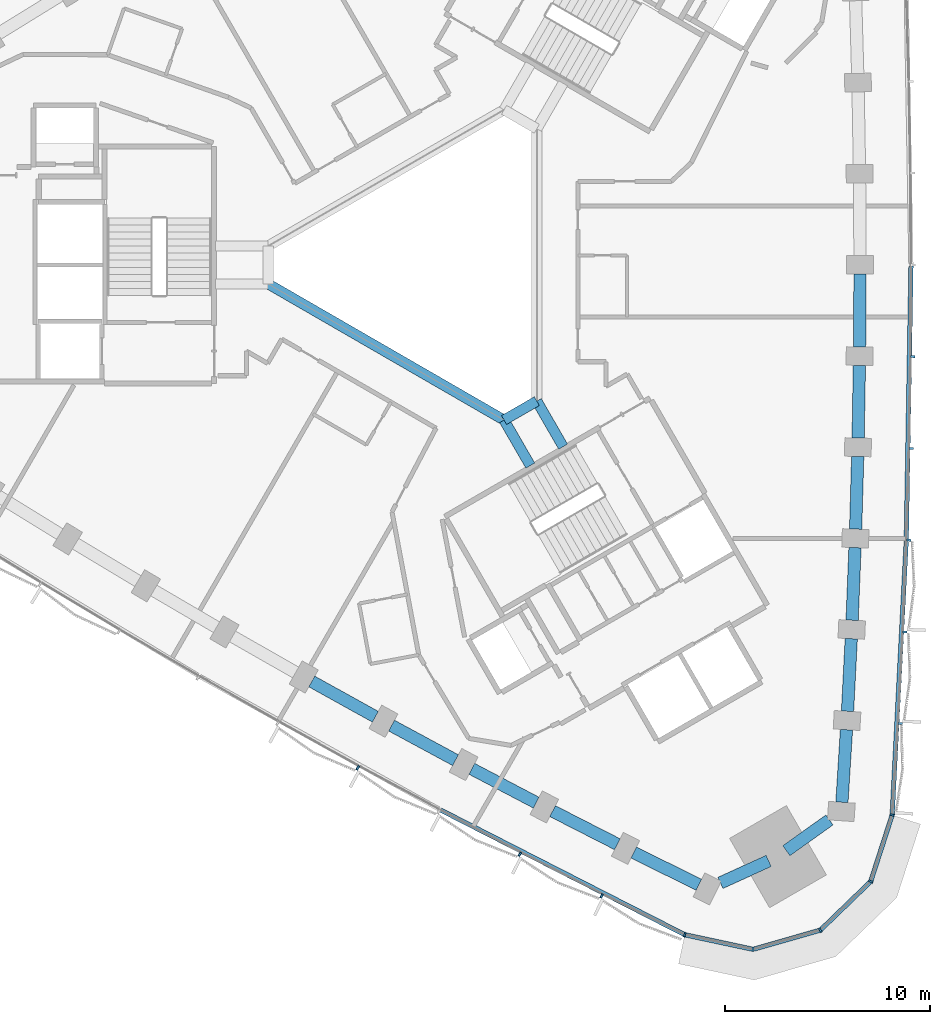
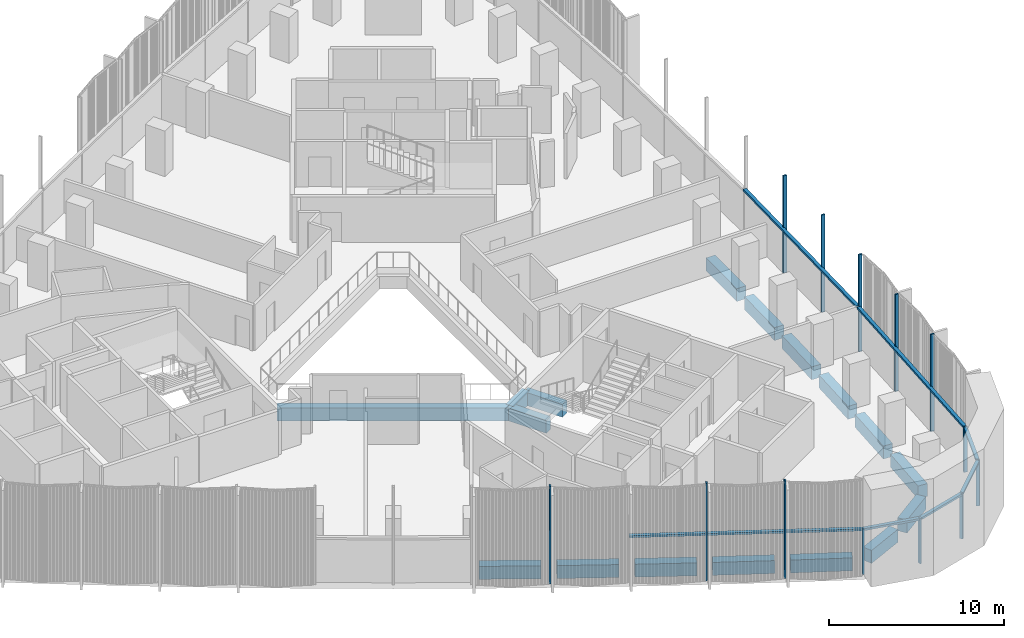
# One storey, part 3 of 15: 20 members, 17 beams, 2 elements without a shape of their own.
"""IFC4 building model written with IfcOpenShell, lengths in metres."""

from ifc_helpers import new_model, si_unit, direction, frame, origin, origin_2d, place, context, subcontext, project, spatial, rectangle, extrude, material, material_profile, profile_set, type_object, element, aggregate, save


model = new_model("IFC4")

# Units and contexts
model_context = context("Model", 3, precision=1e-05, world=origin(), true_north=direction((0.0, 1.0)))
body_context = subcontext(model_context, "Body", "Model", "MODEL_VIEW")
ifc_project = project(units=[si_unit("LENGTHUNIT", "METRE"), si_unit("AREAUNIT", "SQUARE_METRE"), si_unit("VOLUMEUNIT", "CUBIC_METRE"), si_unit("PLANEANGLEUNIT", "RADIAN"), si_unit("MASSUNIT", "GRAM", prefix="KILO")], contexts=[model_context])

# Site, building, storey
site_placement = place(None, origin())
site = spatial("IfcSite", under=ifc_project, at=site_placement, CompositionType="ELEMENT")
building_placement = place(site_placement, origin())
building = spatial("IfcBuilding", under=site, at=building_placement, Name="Tamra Quay Hotel Tower", CompositionType="ELEMENT")
storey_placement = place(building_placement, frame((0.0, 0.0, 90.199951171875)))
storey = spatial("IfcBuildingStorey", under=building, at=storey_placement, Name="L21", CompositionType="ELEMENT", Elevation=90.199951171875)

# Beams
ifc_material_1 = material(Name="Concrete M60", Category="concrete")
ifc_material_profile_1 = material_profile(ifc_material_1, rectangle(XDim=0.5, YDim=0.89990234375, at=origin_2d()), Name="ATRIUM EDGE BEAM RC 500x900")
ifc_profile_set_1 = profile_set([ifc_material_profile_1], Name="Concrete M60")
beam_type_1 = type_object("IfcBeamType", Name="ATRIUM EDGE BEAM RC 500x900", PredefinedType="BEAM", material=ifc_profile_set_1)
beam_1_placement = place(storey_placement, frame((4.89990234375, -6.639404296875, -0.875), z_axis=(-0.865989712182, -0.500061814573, 0.0), x_axis=(0.500061814573, -0.865989712182, 0.0)))
element("IfcBeam", 1, at=beam_1_placement, inside=storey, type_object=beam_type_1, Name="BM-AB1-L21", PredefinedType="BEAM", context=body_context, shape_type="SweptSolid", body=[
    extrude(rectangle(XDim=0.5, YDim=0.89990234375, at=origin_2d()), origin(), (0.0, 0.0, 1.0), 1.847412109375),
])
beam_2_placement = place(storey_placement, frame((3.300048828125, -7.563232421875, -0.875), z_axis=(-0.866029440693, 0.499993007805, 0.0), x_axis=(-0.499993007805, -0.866029440693, 0.0)))
element("IfcBeam", 2, at=beam_2_placement, inside=storey, type_object=beam_type_1, Name="BM-AB2-L21", PredefinedType="BEAM", context=body_context, shape_type="SweptSolid", body=[
    extrude(rectangle(XDim=0.5, YDim=0.89990234375, at=origin_2d()), origin(), (0.0, 0.0, 1.0), 13.279052734375),
])
ifc_material_profile_2 = material_profile(ifc_material_1, rectangle(XDim=0.5, YDim=0.89990234375, at=origin_2d()), Name="ATRIUM TIE BEAM RC 500x900")
ifc_profile_set_2 = profile_set([ifc_material_profile_2], Name="Concrete M60")
beam_type_2 = type_object("IfcBeamType", Name="ATRIUM TIE BEAM RC 500x900", PredefinedType="BEAM", material=ifc_profile_set_2)
for number, where, z_axis, x_axis, name in (
    (3, (4.89990234375, -6.639404296875, -0.875), (0.50003311468, -0.866006284171, 0.0), (0.866006284171, 0.50003311468, 0.0), "BM-TIE-1-L21"),
    (4, (3.300048828125, -7.563232421875, -0.875), (0.499961652204, -0.866047542763, 0.0), (0.866047542763, 0.499961652204, 0.0), "BM-TIE-2-L21"),
):
    element("IfcBeam", number, at=place(storey_placement, frame(where, z_axis=z_axis, x_axis=x_axis)), inside=storey, type_object=beam_type_2, Name=name, PredefinedType="BEAM", context=body_context, shape_type="SweptSolid", body=[
        extrude(rectangle(XDim=0.5, YDim=0.89990234375, at=origin_2d()), origin(), (0.0, 0.0, 1.0), 2.562255859375),
    ])

# Curtain wall, members
ifc_material_2 = material(Name="Aluminium 6063 anodised dark grey", Category="aluminium")
curtain_wall_type_1 = type_object("IfcCurtainWallType", Name="CW1 CURTAIN WALL", PredefinedType="NOTDEFINED", material=ifc_material_2)
curtain_wall_1_placement = place(storey_placement, origin())
curtain_wall_1 = element("IfcCurtainWall", 5, at=curtain_wall_1_placement, inside=storey, type_object=curtain_wall_type_1, Name="CW1 east face L21", PredefinedType="NOTDEFINED")
ifc_material_profile_3 = material_profile(ifc_material_2, rectangle(XDim=0.219970703125, YDim=0.10009765625, at=origin_2d()), Name="MULLION 100X220")
ifc_profile_set_3 = profile_set([ifc_material_profile_3], Name="Aluminium 6063 anodised dark grey")
member_type_1 = type_object("IfcMemberType", Name="MULLION CW1 Z2", PredefinedType="MULLION", material=ifc_profile_set_3)
member_1_placement = place(storey_placement, frame((22.226318359375, -26.81787109375, 0.0), z_axis=(0.0, 0.0, 1.0), x_axis=(0.982419091866, -0.186688853275, 0.0)))
member_1 = element("IfcMember", 6, at=member_1_placement, type_object=member_type_1, Name="CW1 mullion L21.E.1", PredefinedType="MULLION", context=body_context, shape_type="SweptSolid", body=[
    extrude(rectangle(XDim=0.219970703125, YDim=0.10009765625, at=origin_2d()), origin(), (0.0, 0.0, 1.0), 3.175048828125),
])
member_2_placement = place(storey_placement, frame((22.616455078125, -22.3603515625, 0.0), z_axis=(0.0, 0.0, 1.0), x_axis=(0.998374392587, -0.056996247479, 0.0)))
member_2 = element("IfcMember", 7, at=member_2_placement, type_object=member_type_1, Name="CW1 mullion L21.E.2", PredefinedType="MULLION", context=body_context, shape_type="SweptSolid", body=[
    extrude(rectangle(XDim=0.219970703125, YDim=0.10009765625, at=origin_2d()), origin(), (0.0, 0.0, 1.0), 6.775146484375),
])
member_3_placement = place(storey_placement, frame((22.84619140625, -17.891845703125, 0.0), z_axis=(0.0, 0.0, 1.0), x_axis=(0.998958269731, -0.045633050909, 0.0)))
member_3 = element("IfcMember", 8, at=member_3_placement, type_object=member_type_1, Name="CW1 mullion L21.E.3", PredefinedType="MULLION", context=body_context, shape_type="SweptSolid", body=[
    extrude(rectangle(XDim=0.219970703125, YDim=0.10009765625, at=origin_2d()), origin(), (0.0, 0.0, 1.0), 6.775146484375),
])
member_4_placement = place(storey_placement, frame((23.02490234375, -13.4208984375, 0.0), z_axis=(0.0, 0.0, 1.0), x_axis=(0.999413445306, -0.034245661637, 0.0)))
member_4 = element("IfcMember", 9, at=member_4_placement, type_object=member_type_1, Name="CW1 mullion L21.E.4", PredefinedType="MULLION", context=body_context, shape_type="SweptSolid", body=[
    extrude(rectangle(XDim=0.219970703125, YDim=0.10009765625, at=origin_2d()), origin(), (0.0, 0.0, 1.0), 6.775146484375),
])
member_5_placement = place(storey_placement, frame((23.152587890625, -8.9482421875, 0.0), z_axis=(0.0, 0.0, 1.0), x_axis=(0.99973912156, -0.022840508384, 0.0)))
member_5 = element("IfcMember", 10, at=member_5_placement, type_object=member_type_1, Name="CW1 mullion L21.E.5", PredefinedType="MULLION", context=body_context, shape_type="SweptSolid", body=[
    extrude(rectangle(XDim=0.219970703125, YDim=0.10009765625, at=origin_2d()), origin(), (0.0, 0.0, 1.0), 6.775146484375),
])
member_6_placement = place(storey_placement, frame((23.229248046875, -4.474365234375, 0.0), z_axis=(0.0, 0.0, 1.0), x_axis=(0.999934749621, -0.011423506449, 0.0)))
member_6 = element("IfcMember", 11, at=member_6_placement, type_object=member_type_1, Name="CW1 mullion L21.E.6", PredefinedType="MULLION", context=body_context, shape_type="SweptSolid", body=[
    extrude(rectangle(XDim=0.219970703125, YDim=0.10009765625, at=origin_2d()), origin(), (0.0, 0.0, 1.0), 6.775146484375),
])

curtain_wall_type_2 = type_object("IfcCurtainWallType", Name="CW3 CURTAIN WALL", PredefinedType="NOTDEFINED", material=ifc_material_2)
curtain_wall_2_placement = place(storey_placement, origin())
curtain_wall_2 = element("IfcCurtainWall", 12, at=curtain_wall_2_placement, inside=storey, type_object=curtain_wall_type_2, Name="CW3 south-west face L21", PredefinedType="NOTDEFINED")
ifc_material_profile_4 = material_profile(ifc_material_2, rectangle(XDim=0.219970703125, YDim=0.10009765625, at=origin_2d()), Name="MULLION 100X220")
ifc_profile_set_4 = profile_set([ifc_material_profile_4], Name="Aluminium 6063 anodised dark grey")
member_type_2 = type_object("IfcMemberType", Name="MULLION CW3 Z2", PredefinedType="MULLION", material=ifc_profile_set_4)
member_7_placement = place(storey_placement, frame((-3.826904296875, -24.52490234375, 0.0), z_axis=(0.0, 0.0, 1.0), x_axis=(-0.480089100284, -0.87721973062, 0.0)))
member_7 = element("IfcMember", 13, at=member_7_placement, type_object=member_type_2, Name="CW3 mullion L21.SW.9", PredefinedType="MULLION", context=body_context, shape_type="SweptSolid", body=[
    extrude(rectangle(XDim=0.219970703125, YDim=0.10009765625, at=origin_2d()), origin(), (0.0, 0.0, 1.0), 6.775146484375),
])
member_8_placement = place(storey_placement, frame((4.07177734375, -28.731201171875, 0.0), z_axis=(0.0, 0.0, 1.0), x_axis=(-0.459959753526, -0.887939764362, 0.0)))
member_8 = element("IfcMember", 14, at=member_8_placement, type_object=member_type_2, Name="CW3 mullion L21.SW.11", PredefinedType="MULLION", context=body_context, shape_type="SweptSolid", body=[
    extrude(rectangle(XDim=0.219970703125, YDim=0.10009765625, at=origin_2d()), origin(), (0.0, 0.0, 1.0), 6.775146484375),
])
member_9_placement = place(storey_placement, frame((8.056396484375, -30.7666015625, 0.0), z_axis=(0.0, 0.0, 1.0), x_axis=(-0.449826998056, -0.893115710208, 0.0)))
member_9 = element("IfcMember", 15, at=member_9_placement, type_object=member_type_2, Name="CW3 mullion L21.SW.12", PredefinedType="MULLION", context=body_context, shape_type="SweptSolid", body=[
    extrude(rectangle(XDim=0.219970703125, YDim=0.10009765625, at=origin_2d()), origin(), (0.0, 0.0, 1.0), 6.775146484375),
])
member_10_placement = place(storey_placement, frame((12.111572265625, -32.657470703125, 0.0), z_axis=(0.0, 0.0, 1.0), x_axis=(-0.329532256394, -0.944144317356, 0.0)))
member_10 = element("IfcMember", 16, at=member_10_placement, type_object=member_type_2, Name="CW3 mullion L21.SW.13", PredefinedType="MULLION", context=body_context, shape_type="SweptSolid", body=[
    extrude(rectangle(XDim=0.219970703125, YDim=0.10009765625, at=origin_2d()), origin(), (0.0, 0.0, 1.0), 3.175048828125),
])
member_11_placement = place(storey_placement, frame((15.4462890625, -33.370849609375, 0.0), z_axis=(0.0, 0.0, 1.0), x_axis=(0.03404070031, -0.999420447421, 0.0)))
member_11 = element("IfcMember", 17, at=member_11_placement, type_object=member_type_2, Name="CW3 mullion L21.SW.14", PredefinedType="MULLION", context=body_context, shape_type="SweptSolid", body=[
    extrude(rectangle(XDim=0.219970703125, YDim=0.10009765625, at=origin_2d()), origin(), (0.0, 0.0, 1.0), 3.175048828125),
])
member_12_placement = place(storey_placement, frame((18.724853515625, -32.43212890625, 0.0), z_axis=(0.0, 0.0, 1.0), x_axis=(0.5, -0.866025403784, 0.0)))
member_12 = element("IfcMember", 18, at=member_12_placement, type_object=member_type_2, Name="CW3 mullion L21.SW.15", PredefinedType="MULLION", context=body_context, shape_type="SweptSolid", body=[
    extrude(rectangle(XDim=0.219970703125, YDim=0.10009765625, at=origin_2d()), origin(), (0.0, 0.0, 1.0), 3.175048828125),
])
member_13_placement = place(storey_placement, frame((21.1767578125, -30.062255859375, 0.0), z_axis=(0.0, 0.0, 1.0), x_axis=(0.848503146373, -0.529190334941, 0.0)))
member_13 = element("IfcMember", 19, at=member_13_placement, type_object=member_type_2, Name="CW3 mullion L21.SW.16", PredefinedType="MULLION", context=body_context, shape_type="SweptSolid", body=[
    extrude(rectangle(XDim=0.219970703125, YDim=0.10009765625, at=origin_2d()), origin(), (0.0, 0.0, 1.0), 3.175048828125),
])

# Beams
ifc_material_profile_5 = material_profile(ifc_material_1, rectangle(XDim=0.60009765625, YDim=0.89990234375, at=origin_2d()), Name="SPANDREL BEAM RC 600x900")
ifc_profile_set_5 = profile_set([ifc_material_profile_5], Name="Concrete M60")
beam_type_3 = type_object("IfcBeamType", Name="SPANDREL BEAM RC 600x900", PredefinedType="SPANDREL", material=ifc_profile_set_5)
beam_3_placement = place(storey_placement, frame((19.7744140625, -26.199462890625, -0.875), z_axis=(0.062669833409, 0.99803431403, 0.0), x_axis=(-0.99803431403, 0.062669833409, 0.0)))
element("IfcBeam", 20, at=beam_3_placement, inside=storey, type_object=beam_type_3, Name="BM-SP2-000-L21", PredefinedType="SPANDREL", context=body_context, shape_type="SweptSolid", body=[
    extrude(rectangle(XDim=0.60009765625, YDim=0.89990234375, at=origin_2d()), origin(), (0.0, 0.0, 1.0), 3.545166015625),
])
beam_4_placement = place(storey_placement, frame((20.048095703125, -21.7626953125, -0.875), z_axis=(0.051311627905, 0.998682690769, 0.0), x_axis=(-0.998682690769, 0.051311627905, 0.0)))
element("IfcBeam", 21, at=beam_4_placement, inside=storey, type_object=beam_type_3, Name="BM-SP2-001-L21", PredefinedType="SPANDREL", context=body_context, shape_type="SweptSolid", body=[
    extrude(rectangle(XDim=0.60009765625, YDim=0.89990234375, at=origin_2d()), origin(), (0.0, 0.0, 1.0), 3.544677734375),
])
for number, where, z_axis, x_axis, name in (
    (22, (20.27099609375, -17.323486328125, -0.875), (0.039946034354, 0.999201838639, 0.0), (-0.999201838639, 0.039946034354, 0.0), "BM-SP2-002-L21"),
    (23, (20.443359375, -12.882080078125, -0.875), (0.02858140136, 0.999591468299, 0.0), (-0.999591468299, 0.02858140136, 0.0), "BM-SP2-003-L21"),
):
    element("IfcBeam", number, at=place(storey_placement, frame(where, z_axis=z_axis, x_axis=x_axis)), inside=storey, type_object=beam_type_3, Name=name, PredefinedType="SPANDREL", context=body_context, shape_type="SweptSolid", body=[
        extrude(rectangle(XDim=0.60009765625, YDim=0.89990234375, at=origin_2d()), origin(), (0.0, 0.0, 1.0), 3.544921875),
    ])
beam_5_placement = place(storey_placement, frame((20.565185546875, -8.43896484375, -0.875), z_axis=(0.017149781635, 0.99985293168, 0.0), x_axis=(-0.99985293168, 0.017149781635, 0.0)))
element("IfcBeam", 24, at=beam_5_placement, inside=storey, type_object=beam_type_3, Name="BM-SP2-004-L21", PredefinedType="SPANDREL", context=body_context, shape_type="SweptSolid", body=[
    extrude(rectangle(XDim=0.60009765625, YDim=0.89990234375, at=origin_2d()), origin(), (0.0, 0.0, 1.0), 3.544677734375),
])
for number, where, z_axis, x_axis, name in (
    (25, (20.63623046875, -3.994873046875, -0.875), (0.005716160055, 0.999983662624, 0.0), (-0.999983662624, 0.005716160055, 0.0), "BM-SP2-005-L21"),
    (26, (-6.073974609375, -20.309814453125, -0.875), (0.874475461638, -0.48506975477, 0.0), (0.48506975477, 0.874475461638, 0.0), "BM-SP2-035-L21"),
    (27, (-2.184814453125, -22.46142578125, -0.875), (0.879950887438, -0.475064664753, 0.0), (0.475064664753, 0.879950887438, 0.0), "BM-SP2-036-L21"),
):
    element("IfcBeam", number, at=place(storey_placement, frame(where, z_axis=z_axis, x_axis=x_axis)), inside=storey, type_object=beam_type_3, Name=name, PredefinedType="SPANDREL", context=body_context, shape_type="SweptSolid", body=[
        extrude(rectangle(XDim=0.60009765625, YDim=0.89990234375, at=origin_2d()), origin(), (0.0, 0.0, 1.0), 3.544921875),
    ])
beam_6_placement = place(storey_placement, frame((1.72900390625, -24.568603515625, -0.875), z_axis=(0.885322773021, -0.464976975312, 0.0), x_axis=(0.464976975312, 0.885322773021, 0.0)))
element("IfcBeam", 28, at=beam_6_placement, inside=storey, type_object=beam_type_3, Name="BM-SP2-037-L21", PredefinedType="SPANDREL", context=body_context, shape_type="SweptSolid", body=[
    extrude(rectangle(XDim=0.60009765625, YDim=0.89990234375, at=origin_2d()), origin(), (0.0, 0.0, 1.0), 3.544677734375),
])
beam_7_placement = place(storey_placement, frame((5.666259765625, -26.630859375, -0.875), z_axis=(0.890551251107, -0.45488291807, 0.0), x_axis=(0.45488291807, 0.890551251107, 0.0)))
element("IfcBeam", 29, at=beam_7_placement, inside=storey, type_object=beam_type_3, Name="BM-SP2-038-L21", PredefinedType="SPANDREL", context=body_context, shape_type="SweptSolid", body=[
    extrude(rectangle(XDim=0.60009765625, YDim=0.89990234375, at=origin_2d()), origin(), (0.0, 0.0, 1.0), 3.544921875),
])
beam_8_placement = place(storey_placement, frame((9.626953125, -28.648193359375, -0.875), z_axis=(0.895622275285, -0.444815399928, 0.0), x_axis=(0.444815399928, 0.895622275285, 0.0)))
element("IfcBeam", 30, at=beam_8_placement, inside=storey, type_object=beam_type_3, Name="BM-SP2-039-L21", PredefinedType="SPANDREL", context=body_context, shape_type="SweptSolid", body=[
    extrude(rectangle(XDim=0.60009765625, YDim=0.89990234375, at=origin_2d()), origin(), (0.0, 0.0, 1.0), 3.545166015625),
])
for number, where, z_axis, x_axis, name in (
    (31, (13.8505859375, -30.130615234375, -0.875), (0.909819048293, 0.415005179923, 0.0), (-0.415005179923, 0.909819048293, 0.0), "BM-SP2-040-L21"),
    (32, (17.063720703125, -28.560546875, -0.875), (0.814339289036, 0.580389112865, 0.0), (-0.580389112865, 0.814339289036, 0.0), "BM-SP2-041-L21"),
):
    element("IfcBeam", number, at=place(storey_placement, frame(where, z_axis=z_axis, x_axis=x_axis)), inside=storey, type_object=beam_type_3, Name=name, PredefinedType="SPANDREL", context=body_context, shape_type="SweptSolid", body=[
        extrude(rectangle(XDim=0.60009765625, YDim=0.89990234375, at=origin_2d()), origin(), (0.0, 0.0, 1.0), 2.5849609375),
    ])

# Member
ifc_material_profile_6 = material_profile(ifc_material_2, rectangle(XDim=0.219970703125, YDim=0.139892578125, at=origin_2d()), Name="TRANSOM 220X140")
ifc_profile_set_6 = profile_set([ifc_material_profile_6], Name="Aluminium 6063 anodised dark grey")
member_type_3 = type_object("IfcMemberType", Name="TRANSOM CW1 Z2", PredefinedType="USERDEFINED", material=ifc_profile_set_6)
member_14_placement = place(storey_placement, frame((22.2294921875, -26.767822265625, 3.10498046875), z_axis=(0.051309919366, 0.998682778551, 0.0), x_axis=(-0.998682778551, 0.051309919366, 0.0)))
member_14 = element("IfcMember", 33, at=member_14_placement, type_object=member_type_3, Name="CW1 transom L21.E.1", ObjectType="TRANSOM", PredefinedType="USERDEFINED", context=body_context, shape_type="SweptSolid", body=[
    extrude(rectangle(XDim=0.219970703125, YDim=0.139892578125, at=origin_2d()), origin(), (0.0, 0.0, 1.0), 13.318115234375),
])

member_15_placement = place(storey_placement, frame((22.916259765625, -13.3671875, 3.10498046875), z_axis=(0.017138663343, 0.999853122323, 0.0), x_axis=(-0.999853122323, 0.017138663343, 0.0)))
member_15 = element("IfcMember", 34, at=member_15_placement, type_object=member_type_3, Name="CW1 transom L21.E.4", ObjectType="TRANSOM", PredefinedType="USERDEFINED", context=body_context, shape_type="SweptSolid", body=[
    extrude(rectangle(XDim=0.219970703125, YDim=0.139892578125, at=origin_2d()), origin(), (0.0, 0.0, 1.0), 13.319091796875),
])

aggregate(curtain_wall_1, [member_1, member_14, member_2, member_3, member_4, member_15, member_5, member_6])

ifc_material_profile_7 = material_profile(ifc_material_2, rectangle(XDim=0.219970703125, YDim=0.139892578125, at=origin_2d()), Name="TRANSOM 220X140")
ifc_profile_set_7 = profile_set([ifc_material_profile_7], Name="Aluminium 6063 anodised dark grey")
member_type_4 = type_object("IfcMemberType", Name="TRANSOM CW3 Z2", PredefinedType="USERDEFINED", material=ifc_profile_set_7)
member_16_placement = place(storey_placement, frame((0.20654296875, -26.57666015625, 3.10498046875), z_axis=(0.890537010915, -0.45491079586, 0.0), x_axis=(0.45491079586, 0.890537010915, 0.0)))
member_16 = element("IfcMember", 35, at=member_16_placement, type_object=member_type_4, Name="CW3 transom L21.SW.10", ObjectType="TRANSOM", PredefinedType="USERDEFINED", context=body_context, shape_type="SweptSolid", body=[
    extrude(rectangle(XDim=0.219970703125, YDim=0.139892578125, at=origin_2d()), origin(), (0.0, 0.0, 1.0), 13.318115234375),
])

member_17_placement = place(storey_placement, frame((12.16064453125, -32.66796875, 3.10498046875), z_axis=(0.977877907042, -0.209176477928, 0.0), x_axis=(0.209176477928, 0.977877907042, 0.0)))
member_17 = element("IfcMember", 36, at=member_17_placement, type_object=member_type_4, Name="CW3 transom L21.SW.13", ObjectType="TRANSOM", PredefinedType="USERDEFINED", context=body_context, shape_type="SweptSolid", body=[
    extrude(rectangle(XDim=0.219970703125, YDim=0.139892578125, at=origin_2d()), origin(), (0.0, 0.0, 1.0), 3.31005859375),
])

member_18_placement = place(storey_placement, frame((15.494384765625, -33.35693359375, 3.10498046875), z_axis=(0.961393028347, 0.275178932778, 0.0), x_axis=(-0.275178932778, 0.961393028347, 0.0)))
member_18 = element("IfcMember", 37, at=member_18_placement, type_object=member_type_4, Name="CW3 transom L21.SW.14", ObjectType="TRANSOM", PredefinedType="USERDEFINED", context=body_context, shape_type="SweptSolid", body=[
    extrude(rectangle(XDim=0.219970703125, YDim=0.139892578125, at=origin_2d()), origin(), (0.0, 0.0, 1.0), 3.31005859375),
])

member_19_placement = place(storey_placement, frame((18.7607421875, -32.3974609375, 3.10498046875), z_axis=(0.719063315741, 0.694944564664, 0.0), x_axis=(-0.694944564664, 0.719063315741, 0.0)))
member_19 = element("IfcMember", 38, at=member_19_placement, type_object=member_type_4, Name="CW3 transom L21.SW.15", ObjectType="TRANSOM", PredefinedType="USERDEFINED", context=body_context, shape_type="SweptSolid", body=[
    extrude(rectangle(XDim=0.219970703125, YDim=0.139892578125, at=origin_2d()), origin(), (0.0, 0.0, 1.0), 3.31005859375),
])

member_20_placement = place(storey_placement, frame((21.192138671875, -30.0146484375, 3.10498046875), z_axis=(0.307784937637, 0.951455953875, 0.0), x_axis=(-0.951455953875, 0.307784937637, 0.0)))
member_20 = element("IfcMember", 39, at=member_20_placement, type_object=member_type_4, Name="CW3 transom L21.SW.16", ObjectType="TRANSOM", PredefinedType="USERDEFINED", context=body_context, shape_type="SweptSolid", body=[
    extrude(rectangle(XDim=0.219970703125, YDim=0.139892578125, at=origin_2d()), origin(), (0.0, 0.0, 1.0), 3.31005859375),
])

aggregate(curtain_wall_2, [member_7, member_16, member_8, member_9, member_10, member_17, member_11, member_18, member_12, member_19, member_13, member_20])

save(model, "model.ifc")
